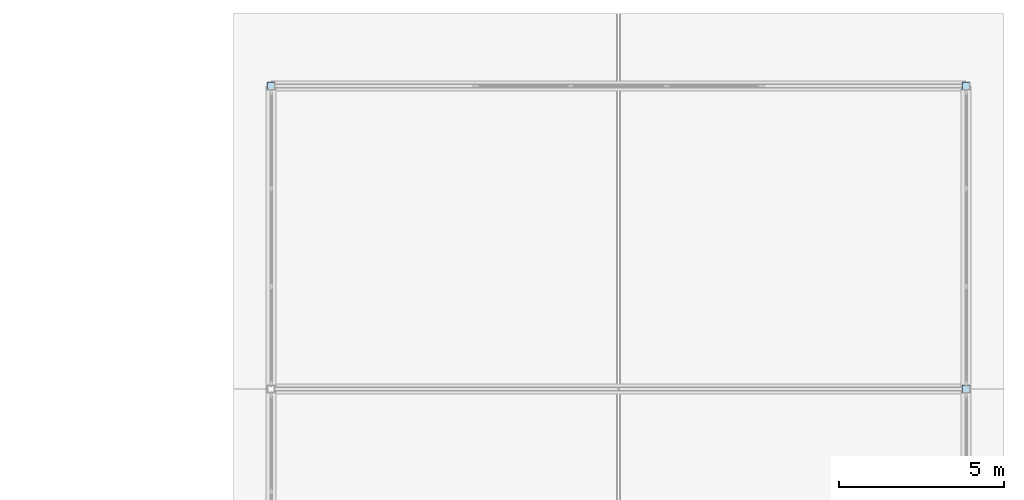
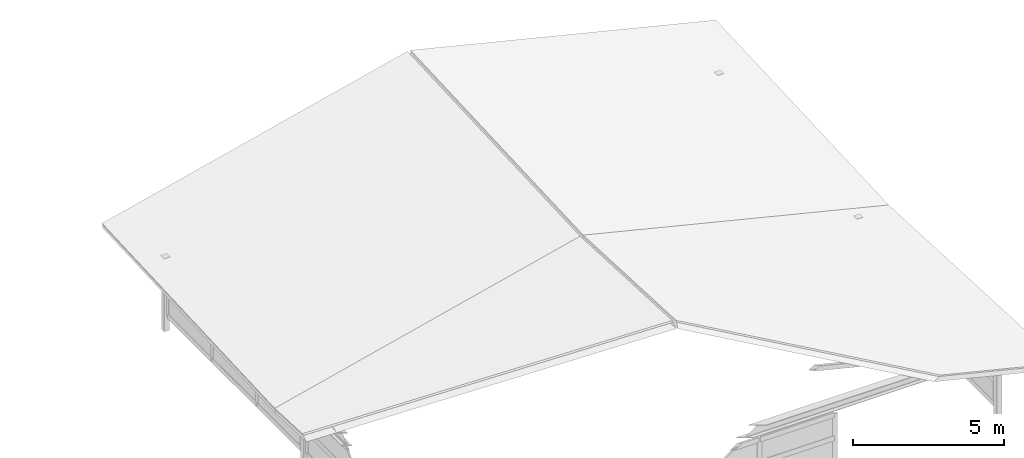
# One storey, part 40 of 42: 3 plates.
"""IFC4 building model written with IfcOpenShell, lengths in metres."""

from ifc_helpers import new_model, si_unit, direction, frame, origin, origin_2d, place, context, subcontext, project, spatial, rectangle, extrude, material, layer, layer_set, type_object, element, save


model = new_model("IFC4")

# Units and contexts
model_context = context("Model", 3, precision=1e-05, world=origin(), true_north=direction((0.0, 1.0)))
body_context = subcontext(model_context, "Body", "Model", "MODEL_VIEW")
ifc_project = project(units=[si_unit("LENGTHUNIT", "METRE"), si_unit("AREAUNIT", "SQUARE_METRE"), si_unit("VOLUMEUNIT", "CUBIC_METRE"), si_unit("PLANEANGLEUNIT", "RADIAN"), si_unit("MASSUNIT", "GRAM", prefix="KILO")], contexts=[model_context])

# Site, building, storey
site_placement = place(None, origin())
site = spatial("IfcSite", under=ifc_project, at=site_placement, CompositionType="ELEMENT")
building_placement = place(site_placement, origin())
building = spatial("IfcBuilding", under=site, at=building_placement, Name="Bozkorgan Art Gallery", CompositionType="ELEMENT")
storey_placement = place(building_placement, frame((0.0, 0.0, 28.800048828125)))
storey = spatial("IfcBuildingStorey", under=building, at=storey_placement, Name="RF", CompositionType="ELEMENT", Elevation=28.800048828125)

# Plates
ifc_material = material(Name="Steel S355J2", Category="steel")
ifc_layer = layer(ifc_material, 0.02001953125, Name="Steel S355J2")
ifc_layer_set = layer_set([ifc_layer], Name="Steel S355J2")
plate_type = type_object("IfcPlateType", Name="PLATE-EC-24", PredefinedType="USERDEFINED", material=ifc_layer_set)
for number, where, z_axis, x_axis, name in (
    (1, (98.050048828125, 66.0, 1.4267578125), (0.0, 0.0, 1.0), (1.0, 0.0, 0.0), "Clerestory V4 post cap 2E"),
    (2, (76.949951171875, 75.199951171875, 1.638427734375), (0.0, 0.0, 1.0), (1.0, 0.0, 0.0), "Clerestory V4 post cap 3W"),
    (3, (98.050048828125, 75.199951171875, 1.638427734375), (0.0, 0.0, 1.0), (1.0, 0.0, 0.0), "Clerestory V4 post cap 3E"),
):
    element("IfcPlate", number, at=place(storey_placement, frame(where, z_axis=z_axis, x_axis=x_axis)), inside=storey, type_object=plate_type, Name=name, ObjectType="END CAP PLATE", PredefinedType="USERDEFINED", context=body_context, shape_type="SweptSolid", body=[
        extrude(rectangle(XDim=0.239990234375, YDim=0.239990234375, at=origin_2d()), origin(), (0.0, 0.0, 1.0), 0.02001953125),
    ])

save(model, "model.ifc")
